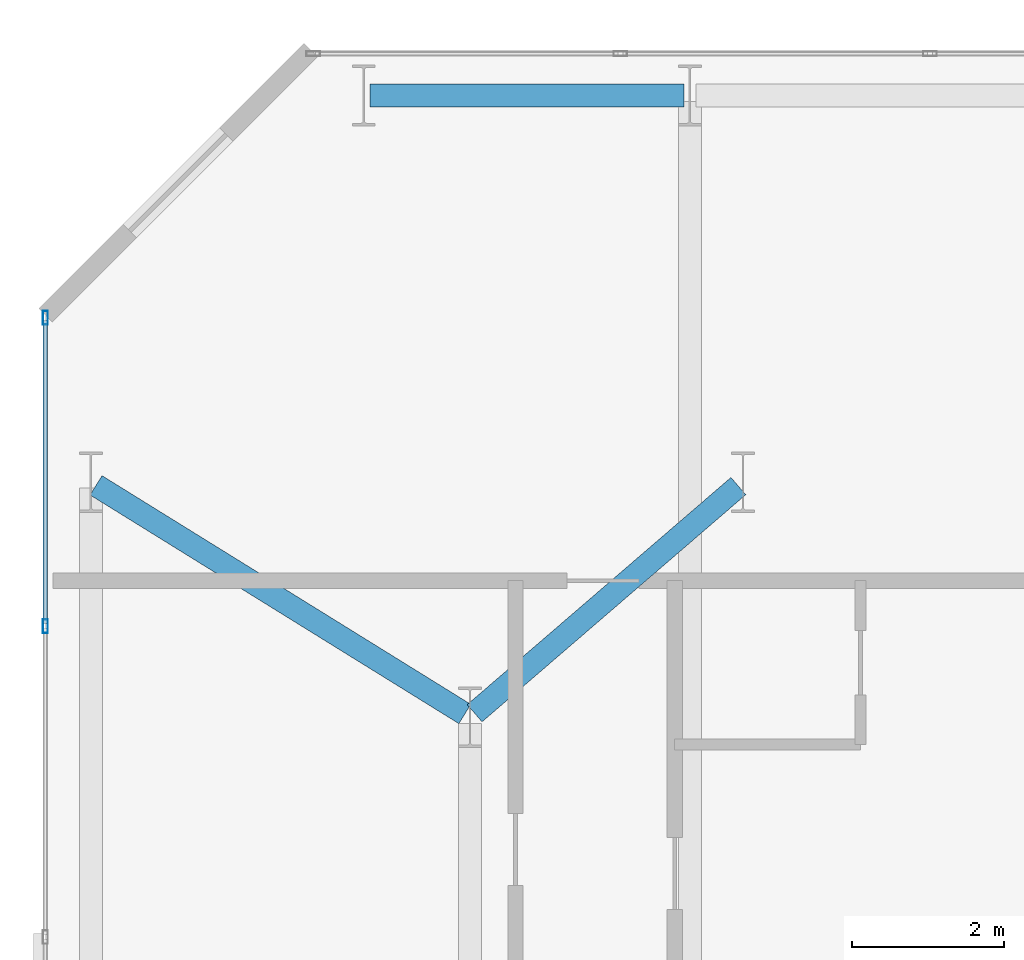
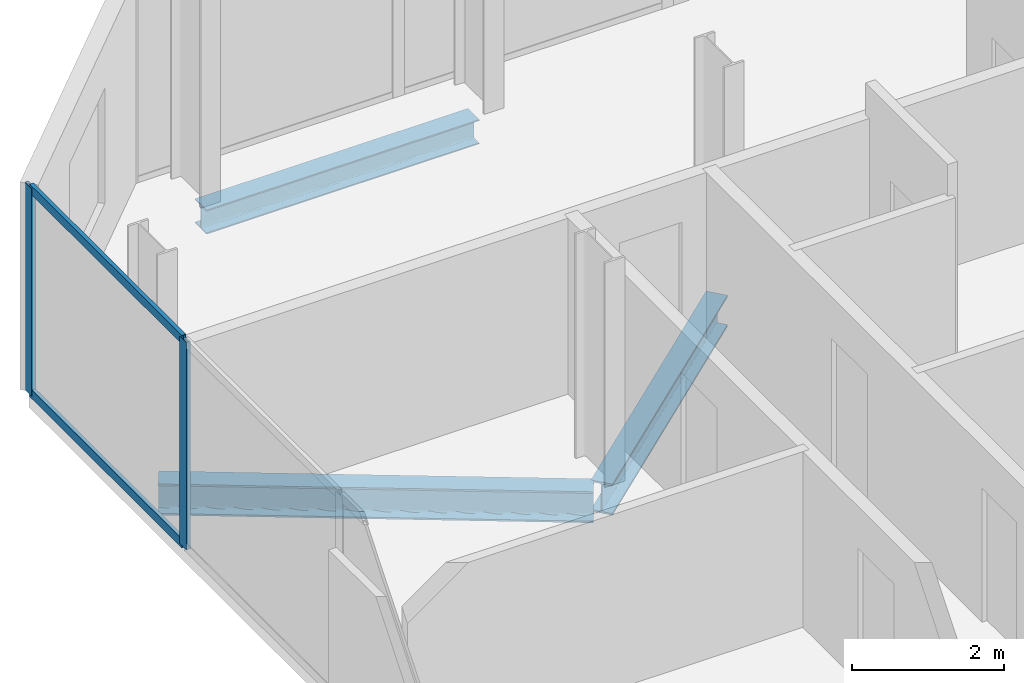
# One storey, part 20 of 33: 4 members, 3 beams, 1 element without a shape of its own.
"""IFC4 building model written with IfcOpenShell, lengths in metres."""

import ifcopenshell
import ifcopenshell.guid

model = None  # the IFC model being written
_history = None  # IfcOwnerHistory: only IFC2X3 demands one
_inside = {}  # id of a spatial element -> (the spatial element, [elements in it])
_under = {}  # id of a project, library or spatial element -> (it, [spatial elements below it])
_declared = {}  # id of a project -> (the project, [libraries it declares])
_typed = {}  # id of a type object -> (the type object, [elements of that type])
_made_of = {}  # id of a material, layer set ... -> (it, [elements and type objects made of it])


def new_model(schema):
    """Start an empty IFC model of exactly this schema.

    Asked for "IFC4X3", IfcOpenShell would pick the latest addendum, in which some entities
    have other attributes; the version numbers below select the first issue.
    IFC2X3 requires an IfcOwnerHistory on every rooted entity: one is made here for all.
    """
    global model, _history
    if schema == "IFC4X3":
        model = ifcopenshell.file(schema_version=(4, 3, 0, 0))
    else:
        model = ifcopenshell.file(schema=schema)
    _inside.clear()
    _under.clear()
    _declared.clear()
    _typed.clear()
    _made_of.clear()
    _history = None
    if model.schema == "IFC2X3":
        org = make("IfcOrganization", Name="unknown")
        user = make(
            "IfcPersonAndOrganization",
            ThePerson=make("IfcPerson", FamilyName="unknown"),
            TheOrganization=org,
        )
        app = make(
            "IfcApplication",
            ApplicationDeveloper=org,
            Version="unknown",
            ApplicationFullName="unknown",
            ApplicationIdentifier="unknown",
        )
        _history = make(
            "IfcOwnerHistory",
            OwningUser=user,
            OwningApplication=app,
            ChangeAction="ADDED",
            CreationDate=0,
        )
    return model


def make(cls, **values):
    """One entity of the class cls with the attributes given. An attribute that is None is left unset."""
    return model.create_entity(
        cls, **{name: value for name, value in values.items() if value is not None}
    )


def rooted(cls, **values):
    """An entity with a GlobalId (a new one), such as an element, a storey or a relation."""
    return make(cls, GlobalId=ifcopenshell.guid.new(), OwnerHistory=_history, **values)


def si_unit(unit_type, name, prefix=None):
    """IfcSIUnit, for example si_unit("LENGTHUNIT", "METRE", prefix="MILLI")."""
    return make("IfcSIUnit", UnitType=unit_type, Prefix=prefix, Name=name)


def assignment(units):
    """IfcUnitAssignment: the units of a project."""
    return None if units is None else make("IfcUnitAssignment", Units=units)


def point(xyz):
    """IfcCartesianPoint."""
    return None if xyz is None else make("IfcCartesianPoint", Coordinates=xyz)


def direction(xyz):
    """IfcDirection."""
    return None if xyz is None else make("IfcDirection", DirectionRatios=xyz)


def frame(location, z_axis=None, x_axis=None):
    """IfcAxis2Placement3D, a coordinate frame: its origin and axes. An axis left out is left unset."""
    return make(
        "IfcAxis2Placement3D",
        Location=point(location),
        Axis=direction(z_axis),
        RefDirection=direction(x_axis),
    )


def frame_2d(location, x_axis=None):
    """IfcAxis2Placement2D, a coordinate frame in the plane: its origin and x axis."""
    return make(
        "IfcAxis2Placement2D", Location=point(location), RefDirection=direction(x_axis)
    )


def origin():
    """The frame at (0, 0, 0) with its axes left unset."""
    return frame((0.0, 0.0, 0.0))


def origin_2d():
    """The frame at (0, 0) in the plane with its x axis left unset."""
    return frame_2d((0.0, 0.0))


def place(relative_to, where):
    """IfcLocalPlacement: puts the frame where relative to a parent placement (None: the world)."""
    return make(
        "IfcLocalPlacement", PlacementRelTo=relative_to, RelativePlacement=where
    )


def context(
    kind, dimensions, precision=None, world=None, true_north=None, identifier=None
):
    """IfcGeometricRepresentationContext, for example the 3D "Model" context."""
    return make(
        "IfcGeometricRepresentationContext",
        ContextIdentifier=identifier,
        ContextType=kind,
        CoordinateSpaceDimension=dimensions,
        Precision=precision,
        WorldCoordinateSystem=world,
        TrueNorth=true_north,
    )


def subcontext(parent, identifier, kind, view, scale=None):
    """IfcGeometricRepresentationSubContext, for example "Body" below "Model"."""
    return make(
        "IfcGeometricRepresentationSubContext",
        ContextIdentifier=identifier,
        ContextType=kind,
        ParentContext=parent,
        TargetScale=scale,
        TargetView=view,
    )


def project(units=None, contexts=None):
    """IfcProject with its units and contexts."""
    return rooted(
        "IfcProject",
        Name="project",
        RepresentationContexts=contexts,
        UnitsInContext=assignment(units),
    )


def spatial(cls, under=None, at=None, **own):
    """A site, building, storey or space (cls), placed at a placement, below another one or the project."""
    s = rooted(cls, ObjectPlacement=at, **own)
    if under is not None:
        _under.setdefault(under.id(), (under, []))[1].append(s)
    return s


def profile(cls, at=None, kind="AREA", **sizes):
    """A parametric profile (cls). Its sizes go by their IFC names, for example OverallWidth=200.0."""
    return make(cls, ProfileType=kind, Position=at, **sizes)


def hollow_rectangle(**sizes):
    """IfcRectangleHollowProfileDef."""
    return profile("IfcRectangleHollowProfileDef", **sizes)


def i_section(**sizes):
    """IfcIShapeProfileDef."""
    return profile("IfcIShapeProfileDef", **sizes)


def extrude(swept, where, along, depth):
    """IfcExtrudedAreaSolid: the profile swept, set in the frame where, extruded along a direction by depth."""
    return make(
        "IfcExtrudedAreaSolid",
        SweptArea=swept,
        Position=where,
        ExtrudedDirection=direction(along),
        Depth=depth,
    )


def shape(context_of_items, identifier, shape_type, items):
    """IfcShapeRepresentation: the items that make up one representation, for example the "Body"."""
    return make(
        "IfcShapeRepresentation",
        ContextOfItems=context_of_items,
        RepresentationIdentifier=identifier,
        RepresentationType=shape_type,
        Items=items,
    )


def material(Name=None, Category=None):
    """IfcMaterial."""
    return make("IfcMaterial", Name=Name, Category=Category)


def layer(
    of_material, thickness, ventilated=None, Name=None, Category=None, Priority=None
):
    """IfcMaterialLayer: one layer of a wall or slab, of a material (None: an air gap)."""
    return make(
        "IfcMaterialLayer",
        Material=of_material,
        LayerThickness=thickness,
        IsVentilated=ventilated,
        Name=Name,
        Category=Category,
        Priority=Priority,
    )


def layer_set(layers, Name=None):
    """IfcMaterialLayerSet."""
    return make("IfcMaterialLayerSet", MaterialLayers=layers, LayerSetName=Name)


def material_profile(
    of_material, cross_section, Name=None, Category=None, Priority=None
):
    """IfcMaterialProfile: a cross section and its material."""
    return make(
        "IfcMaterialProfile",
        Name=Name,
        Material=of_material,
        Profile=cross_section,
        Priority=Priority,
        Category=Category,
    )


def profile_set(profiles, Name=None, composite=None):
    """IfcMaterialProfileSet."""
    return make(
        "IfcMaterialProfileSet",
        Name=Name,
        MaterialProfiles=profiles,
        CompositeProfile=composite,
    )


def made_of(thing, what):
    """Note that an element or type object is made of a material, layer set ...; save() writes the relation."""
    if what is not None:
        _made_of.setdefault(what.id(), (what, []))[1].append(thing)
    return thing


def type_object(cls, material=None, **own):
    """A type object (cls), such as IfcWallType, which elements share."""
    return made_of(rooted(cls, **own), material)


def element(
    cls,
    number,
    at=None,
    inside=None,
    cuts=None,
    type_object=None,
    material=None,
    context=None,
    identifier="Body",
    shape_type=None,
    held_by="IfcProductDefinitionShape",
    body=None,
    shapes=None,
    **own,
):
    """One element of the class cls, such as IfcWall. Its Tag is "e" and its number.

    at: its placement. inside: the storey or other place that contains it. cuts: it is an
    opening in that element (IfcRelVoidsElement). A single representation is given by context,
    identifier, shape_type and body (its items); several are given by shapes. held_by: the class
    of the entity that holds the representations. save() writes the other relations.
    """
    e = rooted(cls, Tag="e%d" % number, ObjectPlacement=at, **own)
    if body is not None:
        shapes = [shape(context, identifier, shape_type, body)]
    if shapes is not None:
        e.Representation = make(held_by, Representations=shapes)
    if inside is not None:
        _inside.setdefault(inside.id(), (inside, []))[1].append(e)
    if cuts is not None:
        rooted(
            "IfcRelVoidsElement", RelatingBuildingElement=cuts, RelatedOpeningElement=e
        )
    if type_object is not None:
        _typed.setdefault(type_object.id(), (type_object, []))[1].append(e)
    return made_of(e, material)


def aggregate(whole, parts):
    """IfcRelAggregates: a whole, such as a stair, and the parts it consists of."""
    return rooted("IfcRelAggregates", RelatingObject=whole, RelatedObjects=parts)


def save(model, path):
    """Write the relations noted so far, then the file.

    IfcRelAggregates (storeys below a building ...), IfcRelContainedInSpatialStructure (elements
    in a storey), IfcRelDefinesByType, IfcRelAssociatesMaterial and IfcRelDeclares: one each for
    every whole, place, type object, material and project.
    """
    for whole, parts in _under.values():
        aggregate(whole, parts)
    for where, things in _inside.values():
        rooted(
            "IfcRelContainedInSpatialStructure",
            RelatedElements=things,
            RelatingStructure=where,
        )
    for kind, things in _typed.values():
        rooted("IfcRelDefinesByType", RelatedObjects=things, RelatingType=kind)
    for what, things in _made_of.values():
        rooted("IfcRelAssociatesMaterial", RelatedObjects=things, RelatingMaterial=what)
    for by, libraries in _declared.values():
        rooted("IfcRelDeclares", RelatingContext=by, RelatedDefinitions=libraries)
    model.write(path)


model = new_model("IFC4")

# Units and contexts
model_context = context("Model", 3, precision=1e-05, world=origin(), true_north=direction((0.0, 1.0)))
body_context = subcontext(model_context, "Body", "Model", "MODEL_VIEW")
ifc_project = project(units=[si_unit("LENGTHUNIT", "METRE"), si_unit("AREAUNIT", "SQUARE_METRE"), si_unit("VOLUMEUNIT", "CUBIC_METRE"), si_unit("PLANEANGLEUNIT", "RADIAN"), si_unit("MASSUNIT", "GRAM", prefix="KILO")], contexts=[model_context])

# Site, building, storey
site_placement = place(None, origin())
site = spatial("IfcSite", under=ifc_project, at=site_placement, CompositionType="ELEMENT")
building_placement = place(site_placement, origin())
building = spatial("IfcBuilding", under=site, at=building_placement, Name="Catumbela Crestline Tower", CompositionType="ELEMENT")
storey_placement = place(building_placement, frame((0.0, 0.0, 54.6)))
storey = spatial("IfcBuildingStorey", under=building, at=storey_placement, Name="L13", CompositionType="ELEMENT", Elevation=54.6)

# Beams
ifc_material_1 = material(Name="Structural steel S355J2", Category="steel")
ifc_material_profile_1 = material_profile(ifc_material_1, i_section(OverallWidth=0.3, OverallDepth=0.5, WebThickness=0.0145, FlangeThickness=0.028, FilletRadius=0.027, at=origin_2d()), Name="HEB 500")
ifc_profile_set_1 = profile_set([ifc_material_profile_1], Name="Structural steel S355J2")
beam_type_1 = type_object("IfcBeamType", Name="BG-HEB500", PredefinedType="BEAM", material=ifc_profile_set_1)
beam_1_placement = place(storey_placement, frame((0.668, 42.2578, -0.51), z_axis=(0.849908952007, -0.526929571479, 0.0), x_axis=(0.526929571479, 0.849908952007, 0.0)))
element("IfcBeam", 1, at=beam_1_placement, inside=storey, type_object=beam_type_1, Name="L13 Beam BM-L13-N13", PredefinedType="BEAM", context=body_context, shape_type="SweptSolid", body=[
    extrude(i_section(OverallWidth=0.3, OverallDepth=0.5, WebThickness=0.0145, FlangeThickness=0.028, FilletRadius=0.027, at=origin_2d()), origin(), (0.0, 0.0, 1.0), 5.723),
])
beam_2_placement = place(storey_placement, frame((5.6606, 39.2522, -0.51), z_axis=(0.757772392559, 0.652518966066, 0.0), x_axis=(-0.652518966066, 0.757772392559, 0.0)))
element("IfcBeam", 2, at=beam_2_placement, inside=storey, type_object=beam_type_1, Name="L13 Beam BM-L13-N14", PredefinedType="BEAM", context=body_context, shape_type="SweptSolid", body=[
    extrude(i_section(OverallWidth=0.3, OverallDepth=0.5, WebThickness=0.0145, FlangeThickness=0.028, FilletRadius=0.027, at=origin_2d()), origin(), (0.0, 0.0, 1.0), 4.5908),
])

# Curtain wall, members
ifc_material_2 = material(Name="Aluminium alloy AW-6060-T66", Category="aluminium")
ifc_layer = layer(ifc_material_2, 0.18, Name="Aluminium alloy AW-6060-T66")
ifc_layer_set = layer_set([ifc_layer], Name="Aluminium alloy AW-6060-T66")
curtain_wall_type = type_object("IfcCurtainWallType", Name="CWU-Z1", PredefinedType="USERDEFINED", material=ifc_layer_set)
curtain_wall_placement = place(storey_placement, origin())
curtain_wall = element("IfcCurtainWall", 3, at=curtain_wall_placement, inside=storey, type_object=curtain_wall_type, Name="L13 Unitised Curtain Wall CW-L13-E9S1", ObjectType="UNITISED", PredefinedType="USERDEFINED")
ifc_material_profile_2 = material_profile(ifc_material_2, hollow_rectangle(XDim=0.065, YDim=0.18, WallThickness=0.004, at=origin_2d()), Name="ALU 180x65x4")
ifc_profile_set_2 = profile_set([ifc_material_profile_2], Name="Aluminium alloy AW-6060-T66")
member_type_1 = type_object("IfcMemberType", Name="MUL-180X65", PredefinedType="MULLION", material=ifc_profile_set_2)
member_1_placement = place(storey_placement, frame((0.0, 44.4675, 0.0), z_axis=(0.0, 0.0, 1.0), x_axis=(1.0, 0.0, 0.0)))
member_1 = element("IfcMember", 4, at=member_1_placement, type_object=member_type_1, Name="CWU-Z1 mullion 1", PredefinedType="MULLION", context=body_context, shape_type="SweptSolid", body=[
    extrude(hollow_rectangle(XDim=0.065, YDim=0.18, WallThickness=0.004, at=origin_2d()), origin(), (0.0, 0.0, 1.0), 3.33),
])
member_2_placement = place(storey_placement, frame((0.0, 40.4, 0.0), z_axis=(0.0, 0.0, 1.0), x_axis=(1.0, 0.0, 0.0)))
member_2 = element("IfcMember", 5, at=member_2_placement, type_object=member_type_1, Name="CWU-Z1 mullion 2", PredefinedType="MULLION", context=body_context, shape_type="SweptSolid", body=[
    extrude(hollow_rectangle(XDim=0.065, YDim=0.18, WallThickness=0.004, at=origin_2d()), origin(), (0.0, 0.0, 1.0), 3.33),
])

# Beam
ifc_material_profile_3 = material_profile(ifc_material_1, i_section(OverallWidth=0.3, OverallDepth=0.39, WebThickness=0.011, FlangeThickness=0.019, FilletRadius=0.027, at=origin_2d()), Name="HEA 400")
ifc_profile_set_3 = profile_set([ifc_material_profile_3], Name="Structural steel S355J2")
beam_type_2 = type_object("IfcBeamType", Name="BS-HEA400", PredefinedType="SPANDREL", material=ifc_profile_set_3)
beam_3_placement = place(storey_placement, frame((4.28, 47.4, -0.455), z_axis=(1.0, 0.0, 0.0), x_axis=(0.0, 1.0, 0.0)))
element("IfcBeam", 6, at=beam_3_placement, inside=storey, type_object=beam_type_2, Name="L13 Spandrel SP-L13-NF19", PredefinedType="SPANDREL", context=body_context, shape_type="SweptSolid", body=[
    extrude(i_section(OverallWidth=0.3, OverallDepth=0.39, WebThickness=0.011, FlangeThickness=0.019, FilletRadius=0.027, at=origin_2d()), origin(), (0.0, 0.0, 1.0), 4.14),
])

# Member
ifc_material_profile_4 = material_profile(ifc_material_2, hollow_rectangle(XDim=0.06, YDim=0.14, WallThickness=0.004, at=origin_2d()), Name="ALU 140x60x4")
ifc_profile_set_4 = profile_set([ifc_material_profile_4], Name="Aluminium alloy AW-6060-T66")
member_type_2 = type_object("IfcMemberType", Name="TRN-140X60", PredefinedType="USERDEFINED", material=ifc_profile_set_4)
member_3_placement = place(storey_placement, frame((0.0, 44.435, 0.03), z_axis=(0.0, -1.0, 0.0), x_axis=(1.0, 0.0, 0.0)))
member_3 = element("IfcMember", 7, at=member_3_placement, type_object=member_type_2, Name="CWU-Z1 transom 1.1", ObjectType="TRANSOM", PredefinedType="USERDEFINED", context=body_context, shape_type="SweptSolid", body=[
    extrude(hollow_rectangle(XDim=0.06, YDim=0.14, WallThickness=0.004, at=origin_2d()), origin(), (0.0, 0.0, 1.0), 4.0025),
])

member_4_placement = place(storey_placement, frame((0.0, 44.435, 3.3), z_axis=(0.0, -1.0, 0.0), x_axis=(1.0, 0.0, 0.0)))
member_4 = element("IfcMember", 8, at=member_4_placement, type_object=member_type_2, Name="CWU-Z1 transom 1.2", ObjectType="TRANSOM", PredefinedType="USERDEFINED", context=body_context, shape_type="SweptSolid", body=[
    extrude(hollow_rectangle(XDim=0.06, YDim=0.14, WallThickness=0.004, at=origin_2d()), origin(), (0.0, 0.0, 1.0), 4.0025),
])

aggregate(curtain_wall, [member_1, member_2, member_3, member_4])

save(model, "model.ifc")
